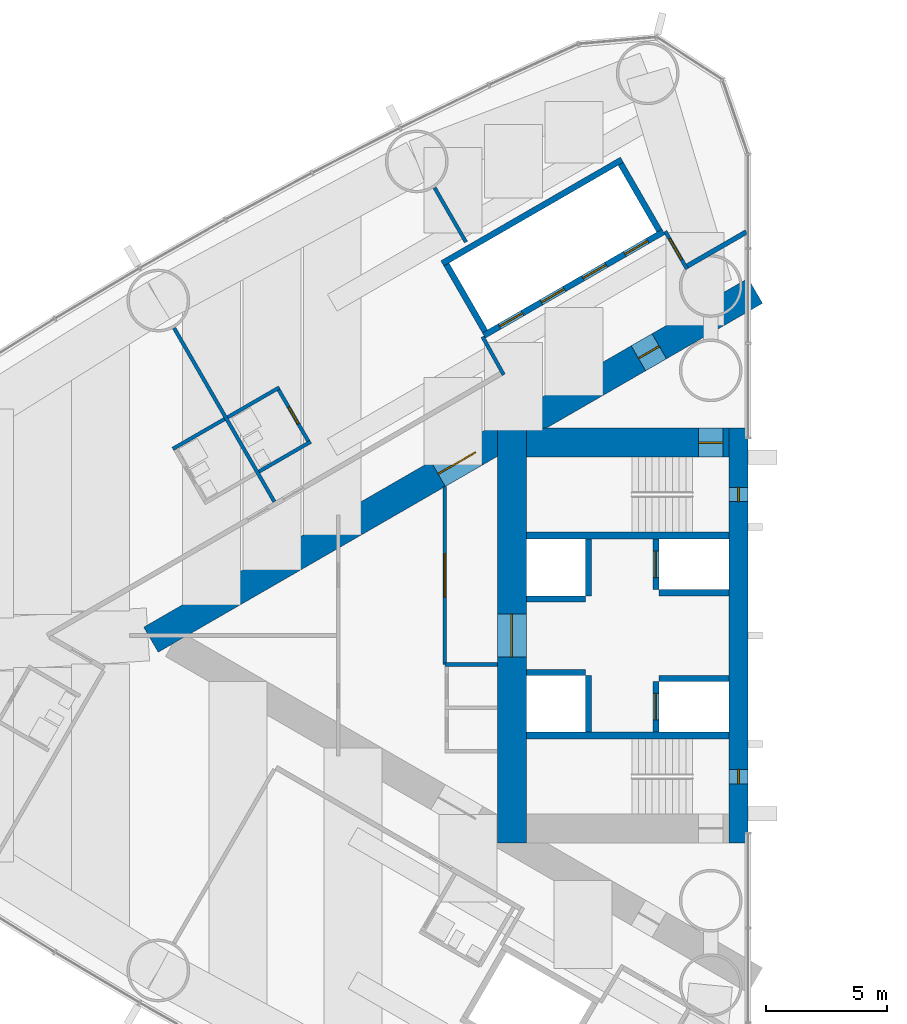
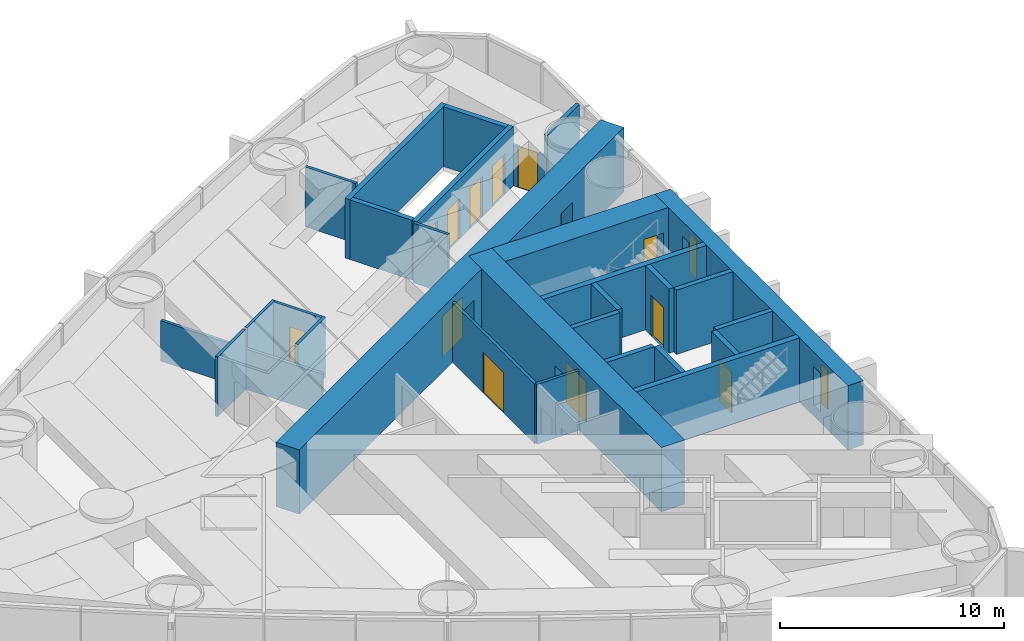
# One storey, part 12 of 18: 29 walls, 13 doors, 2 windows, 15 openings.
"""IFC4 building model written with IfcOpenShell, lengths in metres."""

from ifc_helpers import new_model, si_unit, direction, frame, frame_2d, origin, place, context, subcontext, project, spatial, rectangle, extrude, material, layer, layer_set, type_object, element, fill, save


model = new_model("IFC4")

# Units and contexts
model_context = context("Model", 3, precision=1e-05, world=origin(), true_north=direction((0.0, 1.0)))
body_context = subcontext(model_context, "Body", "Model", "MODEL_VIEW")
ifc_project = project(units=[si_unit("LENGTHUNIT", "METRE"), si_unit("AREAUNIT", "SQUARE_METRE"), si_unit("VOLUMEUNIT", "CUBIC_METRE"), si_unit("PLANEANGLEUNIT", "RADIAN"), si_unit("MASSUNIT", "GRAM", prefix="KILO")], contexts=[model_context])

# Site, building, storey
site_placement = place(None, origin())
site = spatial("IfcSite", under=ifc_project, at=site_placement, CompositionType="ELEMENT")
building_placement = place(site_placement, origin())
building = spatial("IfcBuilding", under=site, at=building_placement, Name="Lancet Gate Hotel", CompositionType="ELEMENT")
storey_placement = place(building_placement, frame((0.0, 0.0, 115.10009765625)))
storey = spatial("IfcBuildingStorey", under=building, at=storey_placement, Name="L30", CompositionType="ELEMENT", Elevation=115.10009765625)

# Walls
ifc_material_1 = material(Name="Moisture resistant board partition")
ifc_layer_1 = layer(ifc_material_1, 0.14990234375)
ifc_layer_set_1 = layer_set([ifc_layer_1], Name="Bathroom wall 150")
wall_type_1 = type_object("IfcWallType", Name="Bathroom wall 150", PredefinedType="PARTITIONING", material=ifc_layer_set_1)
wall_1_placement = place(storey_placement, frame((-49.216064453125, 8.97900390625, 0.0), z_axis=(0.0, 0.0, 1.0), x_axis=(-0.866031185235, -0.4999899861, 0.0)))
element("IfcWall", 1, at=wall_1_placement, inside=storey, type_object=wall_type_1, Name="T1 bathroom wall 150 L30", PredefinedType="PARTITIONING", context=body_context, shape_type="SweptSolid", body=[
    extrude(rectangle(XDim=2.47509765625, YDim=0.14990234375, at=frame_2d((1.237548828125, 0.0))), origin(), (0.0, 0.0, 1.0), 3.25),
])
wall_2_placement = place(storey_placement, frame((-46.94287109375, 10.29150390625, 0.0), z_axis=(0.0, 0.0, 1.0), x_axis=(-0.866006523861, -0.500032699561, 0.0)))
element("IfcWall", 2, at=wall_2_placement, inside=storey, type_object=wall_type_1, Name="T1 bathroom wall 150 L30", PredefinedType="PARTITIONING", context=body_context, shape_type="SweptSolid", body=[
    extrude(rectangle(XDim=2.474853515625, YDim=0.14990234375, at=frame_2d((1.2373046875, 0.0))), origin(), (0.0, 0.0, 1.0), 3.25),
])

# Wall, opening, door
wall_3_placement = place(storey_placement, frame((-45.707763671875, 8.00244140625, 0.0), z_axis=(0.0, 0.0, 1.0), x_axis=(-0.500047596559, 0.865997922154, 0.0)))
wall_3 = element("IfcWall", 3, at=wall_3_placement, inside=storey, type_object=wall_type_1, Name="T1 bathroom wall 150 L30", PredefinedType="PARTITIONING", context=body_context, shape_type="SweptSolid", body=[
    extrude(rectangle(XDim=2.599853515625, YDim=0.14990234375, at=frame_2d((1.2998046875, 0.0))), origin(), (0.0, 0.0, 1.0), 3.25),
])
opening_1_placement = place(wall_3_placement, frame((0.89990234375, 0.0, 0.0)))
opening_1 = element("IfcOpeningElement", 4, at=opening_1_placement, cuts=wall_3, Name="Opening 3002-B", PredefinedType="OPENING", context=body_context, shape_type="SweptSolid", body=[
    extrude(rectangle(XDim=0.800048828125, YDim=2.199951171875, at=frame_2d((0.39990234375, 1.10009765625))), frame((0.0, 0.0849609375, 0.0), z_axis=(0.0, -1.0, 0.0), x_axis=(1.0, 0.0, 0.0)), (0.0, 0.0, 1.0), 0.169921875),
])
ifc_material_2 = material(Name="Timber door set", Category="wood")
door_type_1 = type_object("IfcDoorType", Name="Bathroom door 800", OperationType="SINGLE_SWING_RIGHT", PredefinedType="DOOR", material=ifc_material_2)
door_1_placement = place(opening_1_placement, origin())
door_1 = element("IfcDoor", 5, at=door_1_placement, inside=storey, type_object=door_type_1, Name="3002-B", OperationType="SINGLE_SWING_RIGHT", OverallHeight=2.199951171875, OverallWidth=0.800048828125, PredefinedType="DOOR", context=body_context, shape_type="SweptSolid", body=[
    extrude(rectangle(XDim=0.800048828125, YDim=2.199951171875, at=frame_2d((0.39990234375, 1.10009765625))), frame((0.0, 0.02490234375, 0.0), z_axis=(0.0, -1.0, 0.0), x_axis=(1.0, 0.0, 0.0)), (0.0, 0.0, 1.0), 0.050048828125),
])
fill(opening_1, door_1)

# Wall
wall_4_placement = place(storey_placement, frame((-45.642822265625, 8.039794921875, 0.0), z_axis=(0.0, 0.0, 1.0), x_axis=(-0.866006523861, -0.500032699561, 0.0)))
element("IfcWall", 6, at=wall_4_placement, inside=storey, type_object=wall_type_1, Name="T1 bathroom wall 150 L30", PredefinedType="PARTITIONING", context=body_context, shape_type="SweptSolid", body=[
    extrude(rectangle(XDim=2.474853515625, YDim=0.14990234375, at=frame_2d((1.2373046875, 0.0))), origin(), (0.0, 0.0, 1.0), 3.25),
])

# Wall, openings, doors
ifc_material_3 = material(Name="Concrete C70/85", Category="concrete")
ifc_layer_2 = layer(ifc_material_3, 1.199951171875)
ifc_layer_set_2 = layer_set([ifc_layer_2], Name="Buttress wall 1200")
wall_type_2 = type_object("IfcWallType", Name="Buttress wall 1200", PredefinedType="SHEAR", material=ifc_layer_set_2)
wall_5_placement = place(storey_placement, frame((-27.199951171875, 14.300048828125, 0.0), z_axis=(0.0, 0.0, 1.0), x_axis=(-0.866026593062, -0.499997940104, 0.0)))
wall_5 = element("IfcWall", 7, at=wall_5_placement, inside=storey, type_object=wall_type_2, Name="T1 buttress wall S L30", PredefinedType="SHEAR", context=body_context, shape_type="SweptSolid", body=[
    extrude(rectangle(XDim=28.9462890625, YDim=1.199951171875, at=frame_2d((14.47314453125, 0.0))), origin(), (0.0, 0.0, 1.0), 3.5),
])
opening_2_placement = place(wall_5_placement, frame((4.60009765625, 0.0, 0.0)))
opening_2 = element("IfcOpeningElement", 8, at=opening_2_placement, cuts=wall_5, Name="Opening T1-L30-LS", PredefinedType="OPENING", context=body_context, shape_type="SweptSolid", body=[
    extrude(rectangle(XDim=1.0, YDim=2.199951171875, at=frame_2d((0.5, 1.10009765625))), frame((0.0, 0.60986328125, 0.0), z_axis=(0.0, -1.0, 0.0), x_axis=(1.0, 0.0, 0.0)), (0.0, 0.0, 1.0), 1.219970703125),
])
opening_3_placement = place(wall_5_placement, frame((13.39453125, 0.0, 0.0)))
opening_3 = element("IfcOpeningElement", 9, at=opening_3_placement, cuts=wall_5, Name="Opening T1-L30-LHS", PredefinedType="OPENING", context=body_context, shape_type="SweptSolid", body=[
    extrude(rectangle(XDim=1.800048828125, YDim=2.199951171875, at=frame_2d((0.89990234375, 1.10009765625))), frame((0.0, 0.60986328125, 0.0), z_axis=(0.0, -1.0, 0.0), x_axis=(1.0, 0.0, 0.0)), (0.0, 0.0, 1.0), 1.219970703125),
])
ifc_material_4 = material(Name="Timber door set", Category="wood")
door_type_2 = type_object("IfcDoorType", Name="Lobby double door 1800", OperationType="DOUBLE_DOOR_SINGLE_SWING", PredefinedType="DOOR", material=ifc_material_4)
door_2_placement = place(opening_3_placement, origin())
door_2 = element("IfcDoor", 10, at=door_2_placement, inside=storey, type_object=door_type_2, Name="T1-L30-LHS", OperationType="DOUBLE_DOOR_SINGLE_SWING", OverallHeight=2.199951171875, OverallWidth=1.800048828125, PredefinedType="DOOR", context=body_context, shape_type="SweptSolid", body=[
    extrude(rectangle(XDim=1.800048828125, YDim=2.199951171875, at=frame_2d((0.89990234375, 1.10009765625))), frame((0.0, 0.02490234375, 0.0), z_axis=(0.0, -1.0, 0.0), x_axis=(1.0, 0.0, 0.0)), (0.0, 0.0, 1.0), 0.050048828125),
])
fill(opening_3, door_2)
ifc_material_5 = material(Name="Timber door set", Category="wood")
door_type_3 = type_object("IfcDoorType", Name="Stair lobby door 1000", OperationType="SINGLE_SWING_LEFT", PredefinedType="DOOR", material=ifc_material_5)
door_3_placement = place(opening_2_placement, origin())
door_3 = element("IfcDoor", 11, at=door_3_placement, inside=storey, type_object=door_type_3, Name="T1-L30-LS", OperationType="SINGLE_SWING_LEFT", OverallHeight=2.199951171875, OverallWidth=1.0, PredefinedType="DOOR", context=body_context, shape_type="SweptSolid", body=[
    extrude(rectangle(XDim=1.0, YDim=2.199951171875, at=frame_2d((0.5, 1.10009765625))), frame((0.0, 0.02490234375, 0.0), z_axis=(0.0, -1.0, 0.0), x_axis=(1.0, 0.0, 0.0)), (0.0, 0.0, 1.0), 0.050048828125),
])
fill(opening_2, door_3)

# Wall, opening, door
ifc_material_6 = material(Name="Concrete C70/85", Category="concrete")
ifc_layer_3 = layer(ifc_material_6, 1.199951171875)
ifc_layer_set_3 = layer_set([ifc_layer_3], Name="Core wall 1200")
wall_type_3 = type_object("IfcWallType", Name="Core wall 1200", PredefinedType="SHEAR", material=ifc_layer_set_3)
wall_6_placement = place(storey_placement, frame((-37.300048828125, 8.60009765625, 0.0), z_axis=(0.0, 0.0, 1.0), x_axis=(0.0, -1.0, 0.0)))
wall_6 = element("IfcWall", 12, at=wall_6_placement, inside=storey, type_object=wall_type_3, Name="T1 core wall back L30", PredefinedType="SHEAR", context=body_context, shape_type="SweptSolid", body=[
    extrude(rectangle(XDim=17.2001953125, YDim=1.199951171875, at=frame_2d((8.60009765625, 0.0))), origin(), (0.0, 0.0, 1.0), 3.5),
])
opening_4_placement = place(wall_6_placement, frame((7.699951171875, 0.0, 0.0)))
opening_4 = element("IfcOpeningElement", 13, at=opening_4_placement, cuts=wall_6, Name="Opening T1-L30-LL", PredefinedType="OPENING", context=body_context, shape_type="SweptSolid", body=[
    extrude(rectangle(XDim=1.800048828125, YDim=2.199951171875, at=frame_2d((0.89990234375, 1.10009765625))), frame((0.0, 0.60986328125, 0.0), z_axis=(0.0, -1.0, 0.0), x_axis=(1.0, 0.0, 0.0)), (0.0, 0.0, 1.0), 1.219970703125),
])
door_4_placement = place(opening_4_placement, origin())
door_4 = element("IfcDoor", 14, at=door_4_placement, inside=storey, type_object=door_type_2, Name="T1-L30-LL", OperationType="DOUBLE_DOOR_SINGLE_SWING", OverallHeight=2.199951171875, OverallWidth=1.800048828125, PredefinedType="DOOR", context=body_context, shape_type="SweptSolid", body=[
    extrude(rectangle(XDim=1.800048828125, YDim=2.199951171875, at=frame_2d((0.89990234375, 1.10009765625))), frame((0.0, 0.02490234375, 0.0), z_axis=(0.0, -1.0, 0.0), x_axis=(1.0, 0.0, 0.0)), (0.0, 0.0, 1.0), 0.050048828125),
])
fill(opening_4, door_4)

wall_7_placement = place(storey_placement, frame((-28.300048828125, 8.0, 0.0), z_axis=(0.0, 0.0, 1.0), x_axis=(-1.0, 0.0, 0.0)))
wall_7 = element("IfcWall", 15, at=wall_7_placement, inside=storey, type_object=wall_type_3, Name="T1 core wall side-S L30", PredefinedType="SHEAR", context=body_context, shape_type="SweptSolid", body=[
    extrude(rectangle(XDim=8.39990234375, YDim=1.199951171875, at=frame_2d((4.199951171875, 0.0))), origin(), (0.0, 0.0, 1.0), 3.5),
])
opening_5_placement = place(wall_7_placement, frame((0.25, 0.0, 0.0)))
opening_5 = element("IfcOpeningElement", 16, at=opening_5_placement, cuts=wall_7, Name="Opening T1-L30-ST1", PredefinedType="OPENING", context=body_context, shape_type="SweptSolid", body=[
    extrude(rectangle(XDim=1.0, YDim=2.199951171875, at=frame_2d((0.5, 1.10009765625))), frame((0.0, 0.60986328125, 0.0), z_axis=(0.0, -1.0, 0.0), x_axis=(1.0, 0.0, 0.0)), (0.0, 0.0, 1.0), 1.219970703125),
])
ifc_material_7 = material(Name="Timber door set", Category="wood")
door_type_4 = type_object("IfcDoorType", Name="Stair door 1000", OperationType="SINGLE_SWING_RIGHT", PredefinedType="DOOR", material=ifc_material_7)
door_5_placement = place(opening_5_placement, origin())
door_5 = element("IfcDoor", 17, at=door_5_placement, inside=storey, type_object=door_type_4, Name="T1-L30-ST1", OperationType="SINGLE_SWING_RIGHT", OverallHeight=2.199951171875, OverallWidth=1.0, PredefinedType="DOOR", context=body_context, shape_type="SweptSolid", body=[
    extrude(rectangle(XDim=1.0, YDim=2.199951171875, at=frame_2d((0.5, 1.10009765625))), frame((0.0, 0.02490234375, 0.0), z_axis=(0.0, -1.0, 0.0), x_axis=(1.0, 0.0, 0.0)), (0.0, 0.0, 1.0), 0.050048828125),
])
fill(opening_5, door_5)

# Wall, openings, windows
ifc_material_8 = material(Name="Concrete C70/85", Category="concrete")
ifc_layer_4 = layer(ifc_material_8, 0.800048828125)
ifc_layer_set_4 = layer_set([ifc_layer_4], Name="Core wall 800")
wall_type_4 = type_object("IfcWallType", Name="Core wall 800", PredefinedType="SHEAR", material=ifc_layer_set_4)
wall_8_placement = place(storey_placement, frame((-27.89990234375, 8.60009765625, 0.0), z_axis=(0.0, 0.0, 1.0), x_axis=(0.0, -1.0, 0.0)))
wall_8 = element("IfcWall", 18, at=wall_8_placement, inside=storey, type_object=wall_type_4, Name="T1 core wall front L30", PredefinedType="SHEAR", context=body_context, shape_type="SweptSolid", body=[
    extrude(rectangle(XDim=17.2001953125, YDim=0.800048828125, at=frame_2d((8.60009765625, 0.0))), origin(), (0.0, 0.0, 1.0), 3.5),
])
opening_6_placement = place(wall_8_placement, frame((2.449951171875, 0.0, 0.60009765625)))
opening_6 = element("IfcOpeningElement", 19, at=opening_6_placement, cuts=wall_8, Name="Opening LW1", PredefinedType="OPENING", context=body_context, shape_type="SweptSolid", body=[
    extrude(rectangle(XDim=0.60009765625, YDim=2.10009765625, at=frame_2d((0.300048828125, 1.050048828125))), frame((0.0, 0.409912109375, 0.0), z_axis=(0.0, -1.0, 0.0), x_axis=(1.0, 0.0, 0.0)), (0.0, 0.0, 1.0), 0.820068359375),
])
opening_7_placement = place(wall_8_placement, frame((14.14990234375, 0.0, 0.60009765625)))
opening_7 = element("IfcOpeningElement", 20, at=opening_7_placement, cuts=wall_8, Name="Opening LW1", PredefinedType="OPENING", context=body_context, shape_type="SweptSolid", body=[
    extrude(rectangle(XDim=0.60009765625, YDim=2.10009765625, at=frame_2d((0.300048828125, 1.050048828125))), frame((0.0, 0.409912109375, 0.0), z_axis=(0.0, -1.0, 0.0), x_axis=(1.0, 0.0, 0.0)), (0.0, 0.0, 1.0), 0.820068359375),
])
ifc_material_9 = material(Name="Fire-resisting glazed steel window", Category="steel")
window_type = type_object("IfcWindowType", Name="Lancet window 600x2100", PartitioningType="SINGLE_PANEL", PredefinedType="WINDOW", material=ifc_material_9)
window_1_placement = place(opening_6_placement, origin())
window_1 = element("IfcWindow", 21, at=window_1_placement, inside=storey, type_object=window_type, Name="T1 stair window S L30", OverallHeight=2.10009765625, OverallWidth=0.60009765625, PartitioningType="SINGLE_PANEL", PredefinedType="WINDOW", context=body_context, shape_type="SweptSolid", body=[
    extrude(rectangle(XDim=0.60009765625, YDim=2.10009765625, at=frame_2d((0.300048828125, 1.050048828125))), frame((0.0, 0.030029296875, 0.0), z_axis=(0.0, -1.0, 0.0), x_axis=(1.0, 0.0, 0.0)), (0.0, 0.0, 1.0), 0.06005859375),
])
fill(opening_6, window_1)
window_2_placement = place(opening_7_placement, origin())
window_2 = element("IfcWindow", 22, at=window_2_placement, inside=storey, type_object=window_type, Name="T1 stair window N L30", OverallHeight=2.10009765625, OverallWidth=0.60009765625, PartitioningType="SINGLE_PANEL", PredefinedType="WINDOW", context=body_context, shape_type="SweptSolid", body=[
    extrude(rectangle(XDim=0.60009765625, YDim=2.10009765625, at=frame_2d((0.300048828125, 1.050048828125))), frame((0.0, 0.030029296875, 0.0), z_axis=(0.0, -1.0, 0.0), x_axis=(1.0, 0.0, 0.0)), (0.0, 0.0, 1.0), 0.06005859375),
])
fill(opening_7, window_2)

# Wall
ifc_material_10 = material(Name="Gypsum board partition")
ifc_layer_5 = layer(ifc_material_10, 0.199951171875)
ifc_layer_set_5 = layer_set([ifc_layer_5], Name="Corridor wall 200")
wall_type_5 = type_object("IfcWallType", Name="Corridor wall 200", PredefinedType="PARTITIONING", material=ifc_layer_set_5)
wall_9_placement = place(storey_placement, frame((-27.572021484375, 16.740966796875, 0.0), z_axis=(0.0, 0.0, 1.0), x_axis=(-0.866034618596, -0.499984039138, 0.0)))
element("IfcWall", 23, at=wall_9_placement, inside=storey, type_object=wall_type_5, Name="T1 corridor wall 200 L30", PredefinedType="PARTITIONING", context=body_context, shape_type="SweptSolid", body=[
    extrude(rectangle(XDim=2.8544921875, YDim=0.199951171875, at=frame_2d((1.42724609375, 0.0))), origin(), (0.0, 0.0, 1.0), 3.25),
])

# Wall, openings, doors
ifc_material_11 = material(Name="Gypsum board partition")
ifc_layer_6 = layer(ifc_material_11, 0.25)
ifc_layer_set_6 = layer_set([ifc_layer_6], Name="Lift shaft partition 250")
wall_type_6 = type_object("IfcWallType", Name="Lift shaft partition 250", PredefinedType="PARTITIONING", material=ifc_layer_set_6)
wall_10_placement = place(storey_placement, frame((-31.010498046875, 16.747314453125, 0.0), z_axis=(0.0, 0.0, 1.0), x_axis=(-0.866028165386, -0.499995216735, 0.0)))
wall_10 = element("IfcWall", 24, at=wall_10_placement, inside=storey, type_object=wall_type_6, Name="T1 lift shaft wall LR L30", PredefinedType="PARTITIONING", context=body_context, shape_type="SweptSolid", body=[
    extrude(rectangle(XDim=8.60009765625, YDim=0.25, at=frame_2d((4.300048828125, 0.0))), origin(), (0.0, 0.0, 1.0), 3.25),
])
opening_8_placement = place(wall_10_placement, frame((0.75, 0.0, 0.0)))
opening_8 = element("IfcOpeningElement", 25, at=opening_8_placement, cuts=wall_10, Name="Opening T1-LR1-L30", PredefinedType="OPENING", context=body_context, shape_type="SweptSolid", body=[
    extrude(rectangle(XDim=1.10009765625, YDim=2.199951171875, at=frame_2d((0.550048828125, 1.10009765625))), frame((0.0, 0.135009765625, 0.0), z_axis=(0.0, -1.0, 0.0), x_axis=(1.0, 0.0, 0.0)), (0.0, 0.0, 1.0), 0.27001953125),
])
opening_9_placement = place(wall_10_placement, frame((2.75, 0.0, 0.0)))
opening_9 = element("IfcOpeningElement", 26, at=opening_9_placement, cuts=wall_10, Name="Opening T1-LR2-L30", PredefinedType="OPENING", context=body_context, shape_type="SweptSolid", body=[
    extrude(rectangle(XDim=1.10009765625, YDim=2.199951171875, at=frame_2d((0.550048828125, 1.10009765625))), frame((0.0, 0.135009765625, 0.0), z_axis=(0.0, -1.0, 0.0), x_axis=(1.0, 0.0, 0.0)), (0.0, 0.0, 1.0), 0.27001953125),
])
opening_10_placement = place(wall_10_placement, frame((4.75, 0.0, 0.0)))
opening_10 = element("IfcOpeningElement", 27, at=opening_10_placement, cuts=wall_10, Name="Opening T1-LR3-L30", PredefinedType="OPENING", context=body_context, shape_type="SweptSolid", body=[
    extrude(rectangle(XDim=1.10009765625, YDim=2.199951171875, at=frame_2d((0.550048828125, 1.10009765625))), frame((0.0, 0.135009765625, 0.0), z_axis=(0.0, -1.0, 0.0), x_axis=(1.0, 0.0, 0.0)), (0.0, 0.0, 1.0), 0.27001953125),
])
opening_11_placement = place(wall_10_placement, frame((6.75, 0.0, 0.0)))
opening_11 = element("IfcOpeningElement", 28, at=opening_11_placement, cuts=wall_10, Name="Opening T1-LR4-L30", PredefinedType="OPENING", context=body_context, shape_type="SweptSolid", body=[
    extrude(rectangle(XDim=1.10009765625, YDim=2.199951171875, at=frame_2d((0.550048828125, 1.10009765625))), frame((0.0, 0.135009765625, 0.0), z_axis=(0.0, -1.0, 0.0), x_axis=(1.0, 0.0, 0.0)), (0.0, 0.0, 1.0), 0.27001953125),
])
ifc_material_12 = material(Name="Steel door set", Category="steel")
door_type_5 = type_object("IfcDoorType", Name="Lift landing door 1100", OperationType="DOUBLE_DOOR_SLIDING", PredefinedType="USERDEFINED", material=ifc_material_12)
door_6_placement = place(opening_8_placement, origin())
door_6 = element("IfcDoor", 29, at=door_6_placement, inside=storey, type_object=door_type_5, Name="T1-LR1-L30", ObjectType="LIFT LANDING DOOR", OperationType="DOUBLE_DOOR_SLIDING", OverallHeight=2.199951171875, OverallWidth=1.10009765625, PredefinedType="USERDEFINED", context=body_context, shape_type="SweptSolid", body=[
    extrude(rectangle(XDim=1.10009765625, YDim=2.199951171875, at=frame_2d((0.550048828125, 1.10009765625))), frame((0.0, 0.02490234375, 0.0), z_axis=(0.0, -1.0, 0.0), x_axis=(1.0, 0.0, 0.0)), (0.0, 0.0, 1.0), 0.050048828125),
])
fill(opening_8, door_6)
door_7_placement = place(opening_9_placement, origin())
door_7 = element("IfcDoor", 30, at=door_7_placement, inside=storey, type_object=door_type_5, Name="T1-LR2-L30", ObjectType="LIFT LANDING DOOR", OperationType="DOUBLE_DOOR_SLIDING", OverallHeight=2.199951171875, OverallWidth=1.10009765625, PredefinedType="USERDEFINED", context=body_context, shape_type="SweptSolid", body=[
    extrude(rectangle(XDim=1.10009765625, YDim=2.199951171875, at=frame_2d((0.550048828125, 1.10009765625))), frame((0.0, 0.02490234375, 0.0), z_axis=(0.0, -1.0, 0.0), x_axis=(1.0, 0.0, 0.0)), (0.0, 0.0, 1.0), 0.050048828125),
])
fill(opening_9, door_7)
door_8_placement = place(opening_10_placement, origin())
door_8 = element("IfcDoor", 31, at=door_8_placement, inside=storey, type_object=door_type_5, Name="T1-LR3-L30", ObjectType="LIFT LANDING DOOR", OperationType="DOUBLE_DOOR_SLIDING", OverallHeight=2.199951171875, OverallWidth=1.10009765625, PredefinedType="USERDEFINED", context=body_context, shape_type="SweptSolid", body=[
    extrude(rectangle(XDim=1.10009765625, YDim=2.199951171875, at=frame_2d((0.550048828125, 1.10009765625))), frame((0.0, 0.02490234375, 0.0), z_axis=(0.0, -1.0, 0.0), x_axis=(1.0, 0.0, 0.0)), (0.0, 0.0, 1.0), 0.050048828125),
])
fill(opening_10, door_8)
door_9_placement = place(opening_11_placement, origin())
door_9 = element("IfcDoor", 32, at=door_9_placement, inside=storey, type_object=door_type_5, Name="T1-LR4-L30", ObjectType="LIFT LANDING DOOR", OperationType="DOUBLE_DOOR_SLIDING", OverallHeight=2.199951171875, OverallWidth=1.10009765625, PredefinedType="USERDEFINED", context=body_context, shape_type="SweptSolid", body=[
    extrude(rectangle(XDim=1.10009765625, YDim=2.199951171875, at=frame_2d((0.550048828125, 1.10009765625))), frame((0.0, 0.02490234375, 0.0), z_axis=(0.0, -1.0, 0.0), x_axis=(1.0, 0.0, 0.0)), (0.0, 0.0, 1.0), 0.050048828125),
])
fill(opening_11, door_9)

# Walls
wall_11_placement = place(storey_placement, frame((-32.735595703125, 19.73583984375, 0.0), z_axis=(0.0, 0.0, 1.0), x_axis=(-0.866028165386, -0.499995216735, 0.0)))
element("IfcWall", 33, at=wall_11_placement, inside=storey, type_object=wall_type_6, Name="T1 lift shaft wall LR L30", PredefinedType="PARTITIONING", context=body_context, shape_type="SweptSolid", body=[
    extrude(rectangle(XDim=8.60009765625, YDim=0.25, at=frame_2d((4.300048828125, 0.0))), origin(), (0.0, 0.0, 1.0), 3.25),
])
wall_12_placement = place(storey_placement, frame((-31.18115234375, 16.79296875, 0.0), z_axis=(0.0, 0.0, 1.0), x_axis=(-0.499929347863, 0.866066190972, 0.0)))
element("IfcWall", 34, at=wall_12_placement, inside=storey, type_object=wall_type_6, Name="T1 lift shaft wall LR L30", PredefinedType="PARTITIONING", context=body_context, shape_type="SweptSolid", body=[
    extrude(rectangle(XDim=3.20068359375, YDim=0.25, at=frame_2d((1.600341796875, 0.0))), origin(), (0.0, 0.0, 1.0), 3.25),
])
wall_13_placement = place(storey_placement, frame((-38.412841796875, 12.617919921875, 0.0), z_axis=(0.0, 0.0, 1.0), x_axis=(-0.499872130319, 0.866099216793, 0.0)))
element("IfcWall", 35, at=wall_13_placement, inside=storey, type_object=wall_type_6, Name="T1 lift shaft wall LR L30", PredefinedType="PARTITIONING", context=body_context, shape_type="SweptSolid", body=[
    extrude(rectangle(XDim=3.200439453125, YDim=0.25, at=frame_2d((1.60009765625, 0.0))), origin(), (0.0, 0.0, 1.0), 3.25),
])

# Wall, opening, door
ifc_material_13 = material(Name="Concrete C50/60", Category="concrete")
ifc_layer_7 = layer(ifc_material_13, 0.25)
ifc_layer_set_7 = layer_set([ifc_layer_7], Name="Lift shaft wall 250")
wall_type_7 = type_object("IfcWallType", Name="Lift shaft wall 250", PredefinedType="SHEAR", material=ifc_layer_set_7)
wall_14_placement = place(storey_placement, frame((-31.324951171875, 4.0, 0.0), z_axis=(0.0, 0.0, 1.0), x_axis=(0.0, -1.0, 0.0)))
wall_14 = element("IfcWall", 36, at=wall_14_placement, inside=storey, type_object=wall_type_7, Name="T1 core wall row1-S L30", PredefinedType="SHEAR", context=body_context, shape_type="SweptSolid", body=[
    extrude(rectangle(XDim=2.10009765625, YDim=0.25, at=frame_2d((1.050048828125, 0.0))), origin(), (0.0, 0.0, 1.0), 3.5),
])
opening_12_placement = place(wall_14_placement, frame((0.5, 0.0, 0.0)))
opening_12 = element("IfcOpeningElement", 37, at=opening_12_placement, cuts=wall_14, Name="Opening T1-SL1-L30", PredefinedType="OPENING", context=body_context, shape_type="SweptSolid", body=[
    extrude(rectangle(XDim=1.10009765625, YDim=2.199951171875, at=frame_2d((0.550048828125, 1.10009765625))), frame((0.0, 0.135009765625, 0.0), z_axis=(0.0, -1.0, 0.0), x_axis=(1.0, 0.0, 0.0)), (0.0, 0.0, 1.0), 0.27001953125),
])
ifc_material_14 = material(Name="Timber door set", Category="wood")
door_type_6 = type_object("IfcDoorType", Name="Service lift landing door 1100", OperationType="SLIDING_TO_LEFT", PredefinedType="USERDEFINED", material=ifc_material_14)
door_10_placement = place(opening_12_placement, origin())
door_10 = element("IfcDoor", 38, at=door_10_placement, inside=storey, type_object=door_type_6, Name="T1-SL1-L30", ObjectType="LIFT LANDING DOOR", OperationType="SLIDING_TO_LEFT", OverallHeight=2.199951171875, OverallWidth=1.10009765625, PredefinedType="USERDEFINED", context=body_context, shape_type="SweptSolid", body=[
    extrude(rectangle(XDim=1.10009765625, YDim=2.199951171875, at=frame_2d((0.550048828125, 1.10009765625))), frame((0.0, 0.02490234375, 0.0), z_axis=(0.0, -1.0, 0.0), x_axis=(1.0, 0.0, 0.0)), (0.0, 0.0, 1.0), 0.050048828125),
])
fill(opening_12, door_10)

# Walls
wall_15_placement = place(storey_placement, frame((-34.125, 4.0, 0.0), z_axis=(0.0, 0.0, 1.0), x_axis=(0.0, -1.0, 0.0)))
element("IfcWall", 39, at=wall_15_placement, inside=storey, type_object=wall_type_7, Name="T1 core wall row2-S L30", PredefinedType="SHEAR", context=body_context, shape_type="SweptSolid", body=[
    extrude(rectangle(XDim=2.35009765625, YDim=0.25, at=frame_2d((1.175048828125, 0.0))), origin(), (0.0, 0.0, 1.0), 3.5),
])
wall_16_placement = place(storey_placement, frame((-28.300048828125, 1.77490234375, 0.0), z_axis=(0.0, 0.0, 1.0), x_axis=(-1.0, 0.0, 0.0)))
element("IfcWall", 40, at=wall_16_placement, inside=storey, type_object=wall_type_7, Name="T1 core wall pass1-S L30", PredefinedType="SHEAR", context=body_context, shape_type="SweptSolid", body=[
    extrude(rectangle(XDim=2.89990234375, YDim=0.25, at=frame_2d((1.449951171875, 0.0))), origin(), (0.0, 0.0, 1.0), 3.5),
])
wall_17_placement = place(storey_placement, frame((-34.25, 1.52490234375, 0.0), z_axis=(0.0, 0.0, 1.0), x_axis=(-1.0, 0.0, 0.0)))
element("IfcWall", 41, at=wall_17_placement, inside=storey, type_object=wall_type_7, Name="T1 core wall pass2-S L30", PredefinedType="SHEAR", context=body_context, shape_type="SweptSolid", body=[
    extrude(rectangle(XDim=2.449951171875, YDim=0.25, at=frame_2d((1.22509765625, 0.0))), origin(), (0.0, 0.0, 1.0), 3.5),
])

# Wall, opening, door
wall_18_placement = place(storey_placement, frame((-31.324951171875, -1.89990234375, 0.0), z_axis=(0.0, 0.0, 1.0), x_axis=(0.0, -1.0, 0.0)))
wall_18 = element("IfcWall", 42, at=wall_18_placement, inside=storey, type_object=wall_type_7, Name="T1 core wall row1-N L30", PredefinedType="SHEAR", context=body_context, shape_type="SweptSolid", body=[
    extrude(rectangle(XDim=2.10009765625, YDim=0.25, at=frame_2d((1.050048828125, 0.0))), origin(), (0.0, 0.0, 1.0), 3.5),
])
opening_13_placement = place(wall_18_placement, frame((0.5, 0.0, 0.0)))
opening_13 = element("IfcOpeningElement", 43, at=opening_13_placement, cuts=wall_18, Name="Opening T1-FL2-L30", PredefinedType="OPENING", context=body_context, shape_type="SweptSolid", body=[
    extrude(rectangle(XDim=1.10009765625, YDim=2.199951171875, at=frame_2d((0.550048828125, 1.10009765625))), frame((0.0, 0.135009765625, 0.0), z_axis=(0.0, -1.0, 0.0), x_axis=(1.0, 0.0, 0.0)), (0.0, 0.0, 1.0), 0.27001953125),
])
ifc_material_15 = material(Name="Steel door set", Category="steel")
door_type_7 = type_object("IfcDoorType", Name="Firefighting lift landing door 1100", OperationType="SLIDING_TO_LEFT", PredefinedType="USERDEFINED", material=ifc_material_15)
door_11_placement = place(opening_13_placement, origin())
door_11 = element("IfcDoor", 44, at=door_11_placement, inside=storey, type_object=door_type_7, Name="T1-FL2-L30", ObjectType="LIFT LANDING DOOR", OperationType="SLIDING_TO_LEFT", OverallHeight=2.199951171875, OverallWidth=1.10009765625, PredefinedType="USERDEFINED", context=body_context, shape_type="SweptSolid", body=[
    extrude(rectangle(XDim=1.10009765625, YDim=2.199951171875, at=frame_2d((0.550048828125, 1.10009765625))), frame((0.0, 0.02490234375, 0.0), z_axis=(0.0, -1.0, 0.0), x_axis=(1.0, 0.0, 0.0)), (0.0, 0.0, 1.0), 0.050048828125),
])
fill(opening_13, door_11)

# Walls
wall_19_placement = place(storey_placement, frame((-34.125, -1.64990234375, 0.0), z_axis=(0.0, 0.0, 1.0), x_axis=(0.0, -1.0, 0.0)))
element("IfcWall", 45, at=wall_19_placement, inside=storey, type_object=wall_type_7, Name="T1 core wall row2-N L30", PredefinedType="SHEAR", context=body_context, shape_type="SweptSolid", body=[
    extrude(rectangle(XDim=2.35009765625, YDim=0.25, at=frame_2d((1.175048828125, 0.0))), origin(), (0.0, 0.0, 1.0), 3.5),
])
wall_20_placement = place(storey_placement, frame((-28.300048828125, -1.77490234375, 0.0), z_axis=(0.0, 0.0, 1.0), x_axis=(-1.0, 0.0, 0.0)))
element("IfcWall", 46, at=wall_20_placement, inside=storey, type_object=wall_type_7, Name="T1 core wall pass1-N L30", PredefinedType="SHEAR", context=body_context, shape_type="SweptSolid", body=[
    extrude(rectangle(XDim=2.89990234375, YDim=0.25, at=frame_2d((1.449951171875, 0.0))), origin(), (0.0, 0.0, 1.0), 3.5),
])
wall_21_placement = place(storey_placement, frame((-34.25, -1.52490234375, 0.0), z_axis=(0.0, 0.0, 1.0), x_axis=(-1.0, 0.0, 0.0)))
element("IfcWall", 47, at=wall_21_placement, inside=storey, type_object=wall_type_7, Name="T1 core wall pass2-N L30", PredefinedType="SHEAR", context=body_context, shape_type="SweptSolid", body=[
    extrude(rectangle(XDim=2.449951171875, YDim=0.25, at=frame_2d((1.22509765625, 0.0))), origin(), (0.0, 0.0, 1.0), 3.5),
])
ifc_material_16 = material(Name="Gypsum board partition")
ifc_layer_8 = layer(ifc_material_16, 0.14990234375)
ifc_layer_set_8 = layer_set([ifc_layer_8], Name="Party wall 150")
wall_type_8 = type_object("IfcWallType", Name="Party wall 150", PredefinedType="PARTITIONING", material=ifc_layer_set_8)
wall_22_placement = place(storey_placement, frame((-47.151123046875, 5.552490234375, 0.0), z_axis=(0.0, 0.0, 1.0), x_axis=(-0.500003012045, 0.866023664773, 0.0)))
element("IfcWall", 48, at=wall_22_placement, inside=storey, type_object=wall_type_8, Name="T1 party wall 150 L30", PredefinedType="PARTITIONING", context=body_context, shape_type="SweptSolid", body=[
    extrude(rectangle(XDim=8.31103515625, YDim=0.14990234375, at=frame_2d((4.155517578125, 0.0))), origin(), (0.0, 0.0, 1.0), 2.199951171875),
])
wall_23_placement = place(storey_placement, frame((-39.202392578125, 16.31982421875, 0.0), z_axis=(0.0, 0.0, 1.0), x_axis=(-0.499947391036, 0.866055775454, 0.0)))
element("IfcWall", 49, at=wall_23_placement, inside=storey, type_object=wall_type_8, Name="T1 party wall 150 L30", PredefinedType="PARTITIONING", context=body_context, shape_type="SweptSolid", body=[
    extrude(rectangle(XDim=2.599365234375, YDim=0.14990234375, at=frame_2d((1.2998046875, 0.0))), origin(), (0.0, 0.0, 1.0), 3.25),
])
ifc_material_17 = material(Name="Gypsum board partition")
ifc_layer_9 = layer(ifc_material_17, 0.14990234375)
ifc_layer_set_9 = layer_set([ifc_layer_9], Name="Service room wall 150")
wall_type_9 = type_object("IfcWallType", Name="Service room wall 150", PredefinedType="PARTITIONING", material=ifc_layer_set_9)
wall_24_placement = place(storey_placement, frame((-38.513427734375, 12.392333984375, 0.0), z_axis=(0.0, 0.0, 1.0), x_axis=(0.485585508183, -0.874189175317, 0.0)))
element("IfcWall", 50, at=wall_24_placement, inside=storey, type_object=wall_type_9, Name="T1 service room wall 150 L30", PredefinedType="PARTITIONING", context=body_context, shape_type="SweptSolid", body=[
    extrude(rectangle(XDim=1.804931640625, YDim=0.14990234375, at=frame_2d((0.90234375, 0.0))), origin(), (0.0, 0.0, 1.0), 3.25),
])

# Wall, opening, door
wall_25_placement = place(storey_placement, frame((-30.033203125, 15.20458984375, 0.0), z_axis=(0.0, 0.0, 1.0), x_axis=(-0.499980071345, 0.866036909293, 0.0)))
wall_25 = element("IfcWall", 51, at=wall_25_placement, inside=storey, type_object=wall_type_9, Name="T1 service room wall 150 L30", PredefinedType="PARTITIONING", context=body_context, shape_type="SweptSolid", body=[
    extrude(rectangle(XDim=1.8046875, YDim=0.14990234375, at=frame_2d((0.90234375, 0.0))), origin(), (0.0, 0.0, 1.0), 2.199951171875),
])
opening_14_placement = place(wall_25_placement, frame((0.451904296875, 0.0, 0.0)))
opening_14 = element("IfcOpeningElement", 52, at=opening_14_placement, cuts=wall_25, Name="Opening T1-L30-LO1", PredefinedType="OPENING", context=body_context, shape_type="SweptSolid", body=[
    extrude(rectangle(XDim=1.0, YDim=2.199951171875, at=frame_2d((0.5, 1.10009765625))), frame((0.0, 0.0849609375, 0.0), z_axis=(0.0, -1.0, 0.0), x_axis=(1.0, 0.0, 0.0)), (0.0, 0.0, 1.0), 0.169921875),
])
ifc_material_18 = material(Name="Timber door set", Category="wood")
door_type_8 = type_object("IfcDoorType", Name="Service door 1000", OperationType="SINGLE_SWING_LEFT", PredefinedType="DOOR", material=ifc_material_18)
door_12_placement = place(opening_14_placement, origin())
door_12 = element("IfcDoor", 53, at=door_12_placement, inside=storey, type_object=door_type_8, Name="T1-L30-LO1", OperationType="SINGLE_SWING_LEFT", OverallHeight=2.199951171875, OverallWidth=1.0, PredefinedType="DOOR", context=body_context, shape_type="SweptSolid", body=[
    extrude(rectangle(XDim=1.0, YDim=2.199951171875, at=frame_2d((0.5, 1.10009765625))), frame((0.0, 0.02490234375, 0.0), z_axis=(0.0, -1.0, 0.0), x_axis=(1.0, 0.0, 0.0)), (0.0, 0.0, 1.0), 0.050048828125),
])
fill(opening_14, door_12)

# Wall
wall_26_placement = place(storey_placement, frame((-37.89990234375, -1.199951171875, 0.0), z_axis=(0.0, 0.0, 1.0), x_axis=(-1.0, 0.0, 0.0)))
element("IfcWall", 54, at=wall_26_placement, inside=storey, type_object=wall_type_9, Name="T1 service room wall 150 L30", PredefinedType="PARTITIONING", context=body_context, shape_type="SweptSolid", body=[
    extrude(rectangle(XDim=2.175048828125, YDim=0.14990234375, at=frame_2d((1.08740234375, 0.0))), origin(), (0.0, 0.0, 1.0), 3.25),
])

# Wall, opening, door
wall_27_placement = place(storey_placement, frame((-40.074951171875, 6.173828125, 0.0), z_axis=(0.0, 0.0, 1.0), x_axis=(0.0, -1.0, 0.0)))
wall_27 = element("IfcWall", 55, at=wall_27_placement, inside=storey, type_object=wall_type_9, Name="T1 service room wall 150 L30", PredefinedType="PARTITIONING", context=body_context, shape_type="SweptSolid", body=[
    extrude(rectangle(XDim=7.373779296875, YDim=0.14990234375, at=frame_2d((3.68701171875, 0.0))), origin(), (0.0, 0.0, 1.0), 3.25),
])
opening_15_placement = place(wall_27_placement, frame((2.786865234375, 0.0, 0.0)))
opening_15 = element("IfcOpeningElement", 56, at=opening_15_placement, cuts=wall_27, Name="Opening T1-L30-LH", PredefinedType="OPENING", context=body_context, shape_type="SweptSolid", body=[
    extrude(rectangle(XDim=1.800048828125, YDim=2.199951171875, at=frame_2d((0.89990234375, 1.10009765625))), frame((0.0, 0.0849609375, 0.0), z_axis=(0.0, -1.0, 0.0), x_axis=(1.0, 0.0, 0.0)), (0.0, 0.0, 1.0), 0.169921875),
])
door_13_placement = place(opening_15_placement, origin())
door_13 = element("IfcDoor", 57, at=door_13_placement, inside=storey, type_object=door_type_2, Name="T1-L30-LH", OperationType="DOUBLE_DOOR_SINGLE_SWING", OverallHeight=2.199951171875, OverallWidth=1.800048828125, PredefinedType="DOOR", context=body_context, shape_type="SweptSolid", body=[
    extrude(rectangle(XDim=1.800048828125, YDim=2.199951171875, at=frame_2d((0.89990234375, 1.10009765625))), frame((0.0, 0.02490234375, 0.0), z_axis=(0.0, -1.0, 0.0), x_axis=(1.0, 0.0, 0.0)), (0.0, 0.0, 1.0), 0.050048828125),
])
fill(opening_15, door_13)

# Walls
ifc_material_19 = material(Name="Concrete C50/60", Category="concrete")
ifc_layer_10 = layer(ifc_material_19, 0.300048828125)
ifc_layer_set_10 = layer_set([ifc_layer_10], Name="Stair enclosure wall 300")
wall_type_10 = type_object("IfcWallType", Name="Stair enclosure wall 300", PredefinedType="SHEAR", material=ifc_layer_set_10)
for number, where, z_axis, x_axis, name in (
    (58, (-28.300048828125, 4.14990234375, 0.0), (0.0, 0.0, 1.0), (-1.0, 0.0, 0.0), "T1 core wall stair-S L30"),
    (59, (-28.300048828125, -4.14990234375, 0.0), (0.0, 0.0, 1.0), (-1.0, 0.0, 0.0), "T1 core wall stair-N L30"),
):
    element("IfcWall", number, at=place(storey_placement, frame(where, z_axis=z_axis, x_axis=x_axis)), inside=storey, type_object=wall_type_10, Name=name, PredefinedType="SHEAR", context=body_context, shape_type="SweptSolid", body=[
        extrude(rectangle(XDim=8.39990234375, YDim=0.300048828125, at=frame_2d((4.199951171875, 0.0))), origin(), (0.0, 0.0, 1.0), 3.5),
    ])

save(model, "model.ifc")
